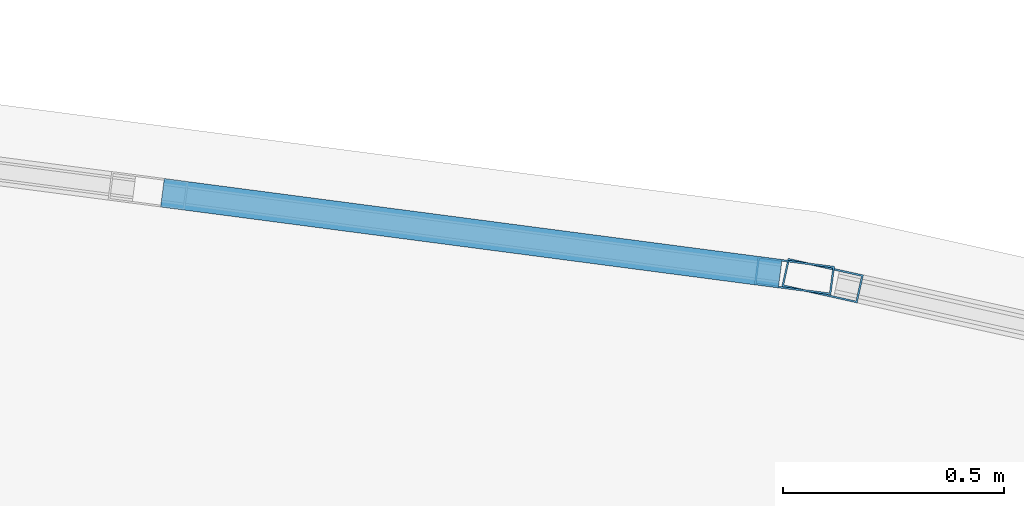
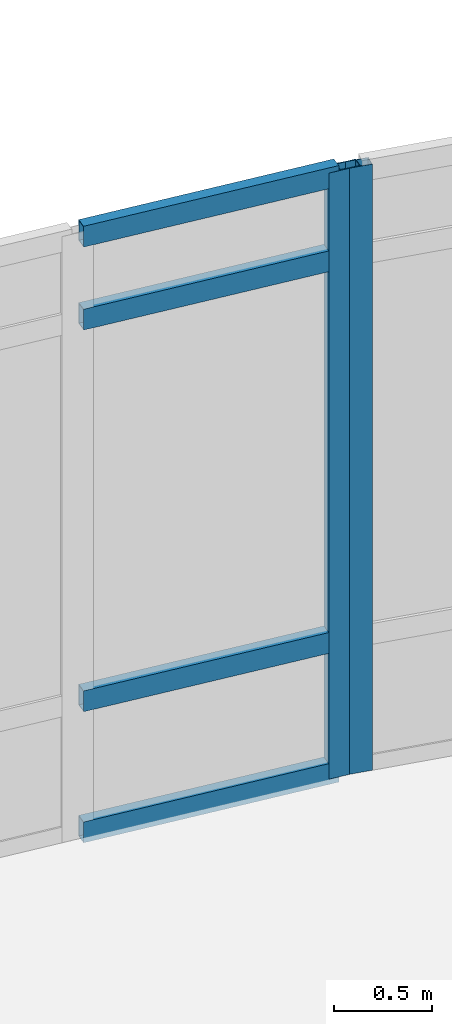
# One storey, part 39 of 91: 6 members, 2 elements without a shape of their own.
"""IFC4 building model written with IfcOpenShell, lengths in metres."""

from ifc_helpers import new_model, si_unit, direction, frame, origin, origin_2d, place, context, subcontext, project, spatial, hollow_rectangle, extrude, material, layer, layer_set, material_profile, profile_set, type_object, element, aggregate, save


model = new_model("IFC4")

# Units and contexts
model_context = context("Model", 3, precision=1e-05, world=origin(), true_north=direction((0.0, 1.0)))
body_context = subcontext(model_context, "Body", "Model", "MODEL_VIEW")
ifc_project = project(units=[si_unit("LENGTHUNIT", "METRE"), si_unit("AREAUNIT", "SQUARE_METRE"), si_unit("VOLUMEUNIT", "CUBIC_METRE"), si_unit("PLANEANGLEUNIT", "RADIAN"), si_unit("MASSUNIT", "GRAM", prefix="KILO")], contexts=[model_context])

# Site, building, storey
site_placement = place(None, origin())
site = spatial("IfcSite", under=ifc_project, at=site_placement, CompositionType="ELEMENT")
building_placement = place(site_placement, origin())
building = spatial("IfcBuilding", under=site, at=building_placement, Name="Valcora Specialist Clinic", CompositionType="ELEMENT")
storey_placement = place(building_placement, frame((0.0, 0.0, 13.60009765625)))
storey = spatial("IfcBuildingStorey", under=building, at=storey_placement, Name="L03", CompositionType="ELEMENT", Elevation=13.60009765625)

# Curtain wall, member
ifc_material = material(Name="Anodized Bronze Aluminium 6063-T6", Category="aluminium")
ifc_layer = layer(ifc_material, 0.175048828125)
ifc_layer_set = layer_set([ifc_layer], Name="Anodized Bronze Aluminium 6063-T6")
curtain_wall_type = type_object("IfcCurtainWallType", Name="TY-CW-ARC40", PredefinedType="NOTDEFINED", material=ifc_layer_set)
curtain_wall_1_placement = place(storey_placement, origin())
curtain_wall_1 = element("IfcCurtainWall", 1, at=curtain_wall_1_placement, inside=storey, type_object=curtain_wall_type, Name="Curtain wall CW-L03-215", PredefinedType="NOTDEFINED")
ifc_material_profile_1 = material_profile(ifc_material, hollow_rectangle(XDim=0.06494140625, YDim=0.175048828125, WallThickness=0.00390625, at=origin_2d()), Name="AL-MUL-65X175")
ifc_profile_set_1 = profile_set([ifc_material_profile_1], Name="Anodized Bronze Aluminium 6063-T6")
member_type_1 = type_object("IfcMemberType", Name="TY-CWM-65X175", PredefinedType="MULLION", material=ifc_profile_set_1)
member_1_placement = place(storey_placement, frame((95.94189453125, 25.08642578125, 0.0), z_axis=(0.0, 0.0, 1.0), x_axis=(0.129999492259, 0.991514060421, 0.0)))
member_1 = element("IfcMember", 2, at=member_1_placement, type_object=member_type_1, Name="CW-ARC-40 mullion 4", PredefinedType="MULLION", context=body_context, shape_type="SweptSolid", body=[
    extrude(hollow_rectangle(XDim=0.06494140625, YDim=0.175048828125, WallThickness=0.00390625, at=origin_2d()), origin(), (0.0, 0.0, 1.0), 3.77978515625),
])

curtain_wall_2_placement = place(storey_placement, origin())
curtain_wall_2 = element("IfcCurtainWall", 3, at=curtain_wall_2_placement, inside=storey, type_object=curtain_wall_type, Name="Curtain wall CW-L03-216", PredefinedType="NOTDEFINED")
member_2_placement = place(storey_placement, frame((96.005615234375, 25.074951171875, 0.0), z_axis=(0.0, 0.0, 1.0), x_axis=(0.216518052372, 0.976278614432, 0.0)))
member_2 = element("IfcMember", 4, at=member_2_placement, type_object=member_type_1, Name="CW-ARC-40 mullion 1", PredefinedType="MULLION", context=body_context, shape_type="SweptSolid", body=[
    extrude(hollow_rectangle(XDim=0.06494140625, YDim=0.175048828125, WallThickness=0.00390625, at=origin_2d()), origin(), (0.0, 0.0, 1.0), 3.77978515625),
])
aggregate(curtain_wall_2, [member_2])

# Member
ifc_material_profile_2 = material_profile(ifc_material, hollow_rectangle(XDim=0.06494140625, YDim=0.1298828125, WallThickness=0.00390625, at=origin_2d()), Name="AL-TRN-65X130")
ifc_profile_set_2 = profile_set([ifc_material_profile_2], Name="Anodized Bronze Aluminium 6063-T6")
member_type_2 = type_object("IfcMemberType", Name="TY-CWT-65X130", PredefinedType="USERDEFINED", material=ifc_profile_set_2)
member_3_placement = place(storey_placement, frame((94.510498046875, 25.27392578125, 0.032470703125), z_axis=(0.991523055248, -0.129930869742, 0.0), x_axis=(0.129930869742, 0.991523055248, 0.0)))
member_3 = element("IfcMember", 5, at=member_3_placement, type_object=member_type_2, Name="CW-ARC-40 transom 3.1", ObjectType="TRANSOM", PredefinedType="USERDEFINED", context=body_context, shape_type="SweptSolid", body=[
    extrude(hollow_rectangle(XDim=0.06494140625, YDim=0.1298828125, WallThickness=0.00390625, at=origin_2d()), origin(), (0.0, 0.0, 1.0), 1.4111328125),
])

member_4_placement = place(storey_placement, frame((94.510498046875, 25.27392578125, 0.849853515625), z_axis=(0.991523055248, -0.129930869742, 0.0), x_axis=(0.129930869742, 0.991523055248, 0.0)))
member_4 = element("IfcMember", 6, at=member_4_placement, type_object=member_type_2, Name="CW-ARC-40 transom 3.2", ObjectType="TRANSOM", PredefinedType="USERDEFINED", context=body_context, shape_type="SweptSolid", body=[
    extrude(hollow_rectangle(XDim=0.06494140625, YDim=0.1298828125, WallThickness=0.00390625, at=origin_2d()), origin(), (0.0, 0.0, 1.0), 1.4111328125),
])

member_5_placement = place(storey_placement, frame((94.510498046875, 25.27392578125, 3.22998046875), z_axis=(0.991523055248, -0.129930869742, 0.0), x_axis=(0.129930869742, 0.991523055248, 0.0)))
member_5 = element("IfcMember", 7, at=member_5_placement, type_object=member_type_2, Name="CW-ARC-40 transom 3.3", ObjectType="TRANSOM", PredefinedType="USERDEFINED", context=body_context, shape_type="SweptSolid", body=[
    extrude(hollow_rectangle(XDim=0.06494140625, YDim=0.1298828125, WallThickness=0.00390625, at=origin_2d()), origin(), (0.0, 0.0, 1.0), 1.4111328125),
])

member_6_placement = place(storey_placement, frame((94.510498046875, 25.27392578125, 3.747314453125), z_axis=(0.991523055248, -0.129930869742, 0.0), x_axis=(0.129930869742, 0.991523055248, 0.0)))
member_6 = element("IfcMember", 8, at=member_6_placement, type_object=member_type_2, Name="CW-ARC-40 transom 3.4", ObjectType="TRANSOM", PredefinedType="USERDEFINED", context=body_context, shape_type="SweptSolid", body=[
    extrude(hollow_rectangle(XDim=0.06494140625, YDim=0.1298828125, WallThickness=0.00390625, at=origin_2d()), origin(), (0.0, 0.0, 1.0), 1.4111328125),
])

aggregate(curtain_wall_1, [member_1, member_3, member_4, member_5, member_6])

save(model, "model.ifc")
